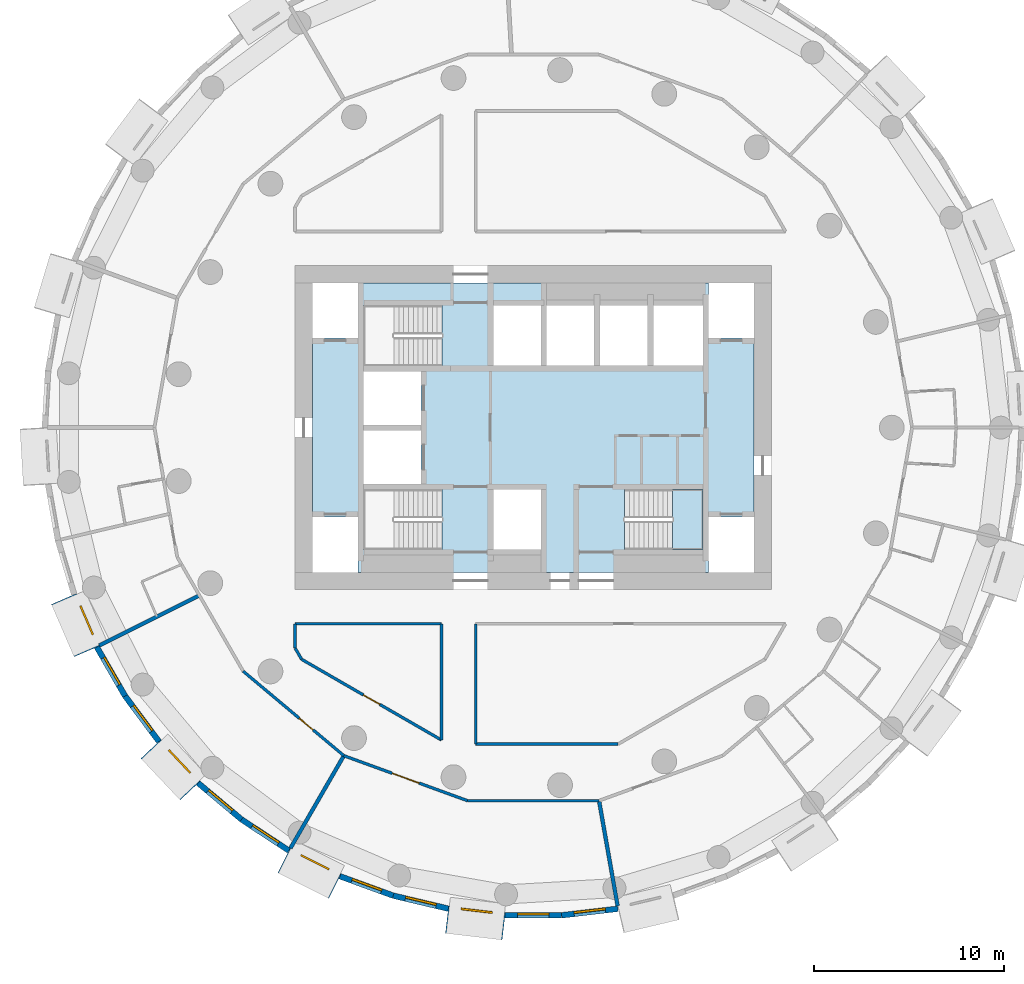
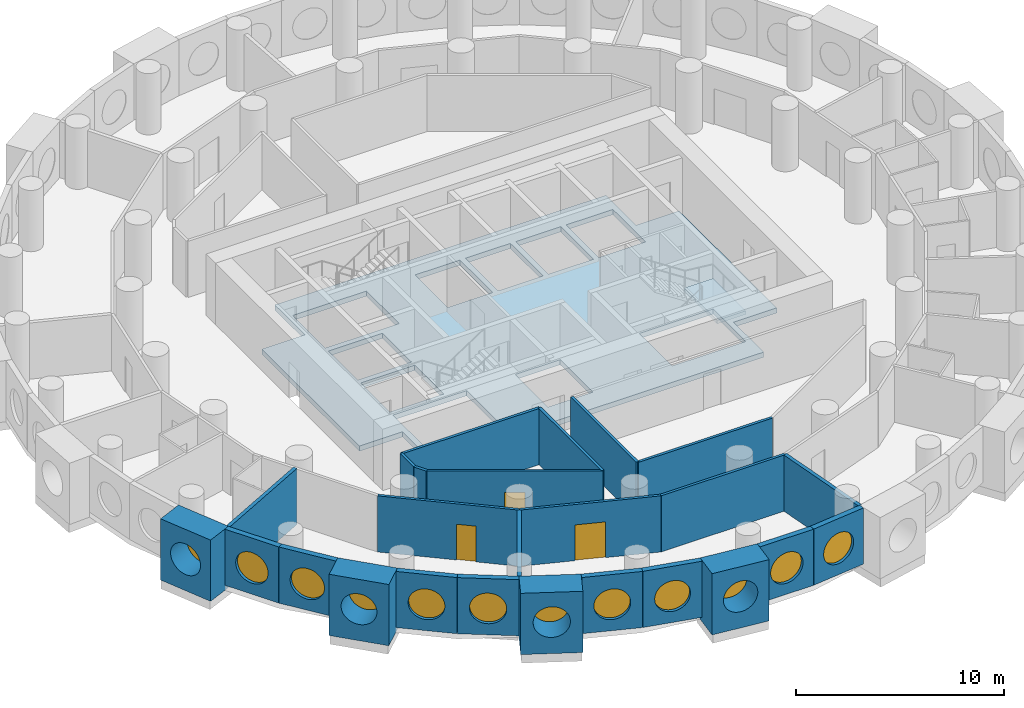
# One storey, part 2 of 10: 25 walls, 12 windows, 3 doors, 2 slabs, 15 openings, 1 element without a shape of its own.
"""IFC4 building model written with IfcOpenShell, lengths in metres."""

import ifcopenshell
import ifcopenshell.guid

model = None  # the IFC model being written
_history = None  # IfcOwnerHistory: only IFC2X3 demands one
_inside = {}  # id of a spatial element -> (the spatial element, [elements in it])
_under = {}  # id of a project, library or spatial element -> (it, [spatial elements below it])
_declared = {}  # id of a project -> (the project, [libraries it declares])
_typed = {}  # id of a type object -> (the type object, [elements of that type])
_made_of = {}  # id of a material, layer set ... -> (it, [elements and type objects made of it])


def new_model(schema):
    """Start an empty IFC model of exactly this schema.

    Asked for "IFC4X3", IfcOpenShell would pick the latest addendum, in which some entities
    have other attributes; the version numbers below select the first issue.
    IFC2X3 requires an IfcOwnerHistory on every rooted entity: one is made here for all.
    """
    global model, _history
    if schema == "IFC4X3":
        model = ifcopenshell.file(schema_version=(4, 3, 0, 0))
    else:
        model = ifcopenshell.file(schema=schema)
    _inside.clear()
    _under.clear()
    _declared.clear()
    _typed.clear()
    _made_of.clear()
    _history = None
    if model.schema == "IFC2X3":
        org = make("IfcOrganization", Name="unknown")
        user = make(
            "IfcPersonAndOrganization",
            ThePerson=make("IfcPerson", FamilyName="unknown"),
            TheOrganization=org,
        )
        app = make(
            "IfcApplication",
            ApplicationDeveloper=org,
            Version="unknown",
            ApplicationFullName="unknown",
            ApplicationIdentifier="unknown",
        )
        _history = make(
            "IfcOwnerHistory",
            OwningUser=user,
            OwningApplication=app,
            ChangeAction="ADDED",
            CreationDate=0,
        )
    return model


def make(cls, **values):
    """One entity of the class cls with the attributes given. An attribute that is None is left unset."""
    return model.create_entity(
        cls, **{name: value for name, value in values.items() if value is not None}
    )


def rooted(cls, **values):
    """An entity with a GlobalId (a new one), such as an element, a storey or a relation."""
    return make(cls, GlobalId=ifcopenshell.guid.new(), OwnerHistory=_history, **values)


def si_unit(unit_type, name, prefix=None):
    """IfcSIUnit, for example si_unit("LENGTHUNIT", "METRE", prefix="MILLI")."""
    return make("IfcSIUnit", UnitType=unit_type, Prefix=prefix, Name=name)


def assignment(units):
    """IfcUnitAssignment: the units of a project."""
    return None if units is None else make("IfcUnitAssignment", Units=units)


def point(xyz):
    """IfcCartesianPoint."""
    return None if xyz is None else make("IfcCartesianPoint", Coordinates=xyz)


def direction(xyz):
    """IfcDirection."""
    return None if xyz is None else make("IfcDirection", DirectionRatios=xyz)


def frame(location, z_axis=None, x_axis=None):
    """IfcAxis2Placement3D, a coordinate frame: its origin and axes. An axis left out is left unset."""
    return make(
        "IfcAxis2Placement3D",
        Location=point(location),
        Axis=direction(z_axis),
        RefDirection=direction(x_axis),
    )


def frame_2d(location, x_axis=None):
    """IfcAxis2Placement2D, a coordinate frame in the plane: its origin and x axis."""
    return make(
        "IfcAxis2Placement2D", Location=point(location), RefDirection=direction(x_axis)
    )


def origin():
    """The frame at (0, 0, 0) with its axes left unset."""
    return frame((0.0, 0.0, 0.0))


def origin_2d():
    """The frame at (0, 0) in the plane with its x axis left unset."""
    return frame_2d((0.0, 0.0))


def place(relative_to, where):
    """IfcLocalPlacement: puts the frame where relative to a parent placement (None: the world)."""
    return make(
        "IfcLocalPlacement", PlacementRelTo=relative_to, RelativePlacement=where
    )


def context(
    kind, dimensions, precision=None, world=None, true_north=None, identifier=None
):
    """IfcGeometricRepresentationContext, for example the 3D "Model" context."""
    return make(
        "IfcGeometricRepresentationContext",
        ContextIdentifier=identifier,
        ContextType=kind,
        CoordinateSpaceDimension=dimensions,
        Precision=precision,
        WorldCoordinateSystem=world,
        TrueNorth=true_north,
    )


def subcontext(parent, identifier, kind, view, scale=None):
    """IfcGeometricRepresentationSubContext, for example "Body" below "Model"."""
    return make(
        "IfcGeometricRepresentationSubContext",
        ContextIdentifier=identifier,
        ContextType=kind,
        ParentContext=parent,
        TargetScale=scale,
        TargetView=view,
    )


def project(units=None, contexts=None):
    """IfcProject with its units and contexts."""
    return rooted(
        "IfcProject",
        Name="project",
        RepresentationContexts=contexts,
        UnitsInContext=assignment(units),
    )


def spatial(cls, under=None, at=None, **own):
    """A site, building, storey or space (cls), placed at a placement, below another one or the project."""
    s = rooted(cls, ObjectPlacement=at, **own)
    if under is not None:
        _under.setdefault(under.id(), (under, []))[1].append(s)
    return s


def polyline(points):
    """IfcPolyline through the points."""
    return make("IfcPolyline", Points=[point(p) for p in points])


def profile(cls, at=None, kind="AREA", **sizes):
    """A parametric profile (cls). Its sizes go by their IFC names, for example OverallWidth=200.0."""
    return make(cls, ProfileType=kind, Position=at, **sizes)


def rectangle(**sizes):
    """IfcRectangleProfileDef."""
    return profile("IfcRectangleProfileDef", **sizes)


def circle(**sizes):
    """IfcCircleProfileDef."""
    return profile("IfcCircleProfileDef", **sizes)


def outline(outer, holes=None, kind="AREA"):
    """IfcArbitraryClosedProfileDef: a profile drawn as a closed curve; with holes, ...WithVoids."""
    if holes is None:
        return make("IfcArbitraryClosedProfileDef", ProfileType=kind, OuterCurve=outer)
    return make(
        "IfcArbitraryProfileDefWithVoids",
        ProfileType=kind,
        OuterCurve=outer,
        InnerCurves=holes,
    )


def extrude(swept, where, along, depth):
    """IfcExtrudedAreaSolid: the profile swept, set in the frame where, extruded along a direction by depth."""
    return make(
        "IfcExtrudedAreaSolid",
        SweptArea=swept,
        Position=where,
        ExtrudedDirection=direction(along),
        Depth=depth,
    )


def shape(context_of_items, identifier, shape_type, items):
    """IfcShapeRepresentation: the items that make up one representation, for example the "Body"."""
    return make(
        "IfcShapeRepresentation",
        ContextOfItems=context_of_items,
        RepresentationIdentifier=identifier,
        RepresentationType=shape_type,
        Items=items,
    )


def material(Name=None, Category=None):
    """IfcMaterial."""
    return make("IfcMaterial", Name=Name, Category=Category)


def layer(
    of_material, thickness, ventilated=None, Name=None, Category=None, Priority=None
):
    """IfcMaterialLayer: one layer of a wall or slab, of a material (None: an air gap)."""
    return make(
        "IfcMaterialLayer",
        Material=of_material,
        LayerThickness=thickness,
        IsVentilated=ventilated,
        Name=Name,
        Category=Category,
        Priority=Priority,
    )


def layer_set(layers, Name=None):
    """IfcMaterialLayerSet."""
    return make("IfcMaterialLayerSet", MaterialLayers=layers, LayerSetName=Name)


def made_of(thing, what):
    """Note that an element or type object is made of a material, layer set ...; save() writes the relation."""
    if what is not None:
        _made_of.setdefault(what.id(), (what, []))[1].append(thing)
    return thing


def type_object(cls, material=None, **own):
    """A type object (cls), such as IfcWallType, which elements share."""
    return made_of(rooted(cls, **own), material)


def element(
    cls,
    number,
    at=None,
    inside=None,
    cuts=None,
    type_object=None,
    material=None,
    context=None,
    identifier="Body",
    shape_type=None,
    held_by="IfcProductDefinitionShape",
    body=None,
    shapes=None,
    **own,
):
    """One element of the class cls, such as IfcWall. Its Tag is "e" and its number.

    at: its placement. inside: the storey or other place that contains it. cuts: it is an
    opening in that element (IfcRelVoidsElement). A single representation is given by context,
    identifier, shape_type and body (its items); several are given by shapes. held_by: the class
    of the entity that holds the representations. save() writes the other relations.
    """
    e = rooted(cls, Tag="e%d" % number, ObjectPlacement=at, **own)
    if body is not None:
        shapes = [shape(context, identifier, shape_type, body)]
    if shapes is not None:
        e.Representation = make(held_by, Representations=shapes)
    if inside is not None:
        _inside.setdefault(inside.id(), (inside, []))[1].append(e)
    if cuts is not None:
        rooted(
            "IfcRelVoidsElement", RelatingBuildingElement=cuts, RelatedOpeningElement=e
        )
    if type_object is not None:
        _typed.setdefault(type_object.id(), (type_object, []))[1].append(e)
    return made_of(e, material)


def fill(opening, filler):
    """IfcRelFillsElement: the door or window that sits in an opening."""
    return rooted(
        "IfcRelFillsElement",
        RelatingOpeningElement=opening,
        RelatedBuildingElement=filler,
    )


def aggregate(whole, parts):
    """IfcRelAggregates: a whole, such as a stair, and the parts it consists of."""
    return rooted("IfcRelAggregates", RelatingObject=whole, RelatedObjects=parts)


def save(model, path):
    """Write the relations noted so far, then the file.

    IfcRelAggregates (storeys below a building ...), IfcRelContainedInSpatialStructure (elements
    in a storey), IfcRelDefinesByType, IfcRelAssociatesMaterial and IfcRelDeclares: one each for
    every whole, place, type object, material and project.
    """
    for whole, parts in _under.values():
        aggregate(whole, parts)
    for where, things in _inside.values():
        rooted(
            "IfcRelContainedInSpatialStructure",
            RelatedElements=things,
            RelatingStructure=where,
        )
    for kind, things in _typed.values():
        rooted("IfcRelDefinesByType", RelatedObjects=things, RelatingType=kind)
    for what, things in _made_of.values():
        rooted("IfcRelAssociatesMaterial", RelatedObjects=things, RelatingMaterial=what)
    for by, libraries in _declared.values():
        rooted("IfcRelDeclares", RelatingContext=by, RelatedDefinitions=libraries)
    model.write(path)


model = new_model("IFC4")

# Units and contexts
model_context = context("Model", 3, precision=1e-05, world=origin(), true_north=direction((0.0, 1.0)))
body_context = subcontext(model_context, "Body", "Model", "MODEL_VIEW")
ifc_project = project(units=[si_unit("LENGTHUNIT", "METRE"), si_unit("AREAUNIT", "SQUARE_METRE"), si_unit("VOLUMEUNIT", "CUBIC_METRE"), si_unit("PLANEANGLEUNIT", "RADIAN"), si_unit("MASSUNIT", "GRAM", prefix="KILO")], contexts=[model_context])

# Site, building, storey
site_placement = place(None, origin())
site = spatial("IfcSite", under=ifc_project, at=site_placement, CompositionType="ELEMENT")
building_placement = place(site_placement, origin())
building = spatial("IfcBuilding", under=site, at=building_placement, Name="Tracery Tower", CompositionType="ELEMENT")
storey_placement = place(building_placement, frame((0.0, 0.0, 194.39990234375)))
storey = spatial("IfcBuildingStorey", under=building, at=storey_placement, Name="L50", CompositionType="ELEMENT", Elevation=194.39990234375)

# Slab
ifc_material_1 = material(Name="Concrete C50/60", Category="concrete")
ifc_layer_1 = layer(ifc_material_1, 0.300048828125)
ifc_layer_set_1 = layer_set([ifc_layer_1], Name="Core floor slab 300 C50")
slab_type_1 = type_object("IfcSlabType", Name="Core floor slab 300 C50", PredefinedType="FLOOR", material=ifc_layer_set_1)
slab_1_placement = place(storey_placement, frame((0.0, 0.0, -0.2998046875)))
element("IfcSlab", 1, at=slab_1_placement, inside=storey, type_object=slab_type_1, Name="L50 core floor 1", PredefinedType="FLOOR", context=body_context, shape_type="SweptSolid", body=[
    extrude(outline(polyline([(-9.199951171875, 7.60009765625), (9.199951171875, 7.60009765625), (9.199951171875, 4.699951171875), (11.60009765625, 4.699951171875), (11.60009765625, -4.699951171875), (9.199951171875, -4.699951171875), (9.199951171875, -7.60009765625), (-9.199951171875, -7.60009765625), (-9.199951171875, -4.699951171875), (-11.60009765625, -4.699951171875), (-11.60009765625, 4.699951171875), (-9.199951171875, 4.699951171875), (-9.199951171875, 7.60009765625)]), holes=[polyline([(4.800537109375, -6.39990234375), (8.89990234375, -6.39990234375), (8.89990234375, -3.25), (4.800537109375, -3.25), (4.800537109375, -6.39990234375)]), polyline([(8.89990234375, 3.25), (8.89990234375, 6.39990234375), (6.300048828125, 6.39990234375), (6.300048828125, 3.25), (8.89990234375, 3.25)]), polyline([(6.0, 3.25), (6.0, 6.39990234375), (3.5, 6.39990234375), (3.5, 3.25), (6.0, 3.25)]), polyline([(3.199951171875, 3.25), (3.199951171875, 6.39990234375), (0.699951171875, 6.39990234375), (0.699951171875, 3.25), (3.199951171875, 3.25)]), polyline([(-2.10009765625, 3.25), (0.39990234375, 3.25), (0.39990234375, 6.39990234375), (-2.10009765625, 6.39990234375), (-2.10009765625, 3.25)]), polyline([(0.39990234375, -6.39990234375), (0.39990234375, -3.25), (-2.10009765625, -3.25), (-2.10009765625, -6.39990234375), (0.39990234375, -6.39990234375)]), polyline([(-4.800537109375, -3.25), (-8.89990234375, -3.25), (-8.89990234375, -6.39990234375), (-4.800537109375, -6.39990234375), (-4.800537109375, -3.25)]), polyline([(-4.800537109375, 6.39990234375), (-8.89990234375, 6.39990234375), (-8.89990234375, 3.25), (-4.800537109375, 3.25), (-4.800537109375, 6.39990234375)]), polyline([(-5.89990234375, -2.949951171875), (-5.89990234375, -0.14990234375), (-8.89990234375, -0.14990234375), (-8.89990234375, -2.949951171875), (-5.89990234375, -2.949951171875)]), polyline([(-5.89990234375, 0.14990234375), (-5.89990234375, 2.949951171875), (-8.89990234375, 2.949951171875), (-8.89990234375, 0.14990234375), (-5.89990234375, 0.14990234375)])]), origin(), (0.0, 0.0, 1.0), 0.2998046875),
])

# Stair, slab
ifc_material_2 = material(Name="Concrete C32/40", Category="concrete")
stair_type = type_object("IfcStairType", Name="Core stair 22 risers", PredefinedType="HALF_TURN_STAIR", material=ifc_material_2)
stair_placement = place(storey_placement, origin())
stair = element("IfcStair", 2, at=stair_placement, inside=storey, type_object=stair_type, Name="L50 stair ST2", PredefinedType="HALF_TURN_STAIR")
ifc_material_3 = material(Name="Concrete C32/40", Category="concrete")
ifc_layer_2 = layer(ifc_material_3, 0.199951171875)
ifc_layer_set_2 = layer_set([ifc_layer_2], Name="Stair landing slab 200")
slab_type_2 = type_object("IfcSlabType", Name="Stair landing slab 200", PredefinedType="LANDING", material=ifc_layer_set_2)
slab_2_placement = place(storey_placement, frame((0.0, 0.0, 1.60009765625)))
slab_2 = element("IfcSlab", 3, at=slab_2_placement, type_object=slab_type_2, Name="ST2 landing 1", PredefinedType="LANDING", context=body_context, shape_type="SweptSolid", body=[
    extrude(outline(polyline([(7.29931640625, -6.39990234375), (8.89990234375, -6.39990234375), (8.89990234375, -3.25), (7.29931640625, -3.25), (7.29931640625, -6.39990234375)])), origin(), (0.0, 0.0, 1.0), 0.199951171875),
])
aggregate(stair, [slab_2])

# Wall, opening, window
ifc_material_4 = material(Name="Precast concrete C50/60", Category="concrete")
ifc_layer_3 = layer(ifc_material_4, 1.449951171875)
ifc_layer_set_3 = layer_set([ifc_layer_3], Name="Deep-set bay unit 3000 x 3600, slab edge 300")
wall_type_1 = type_object("IfcWallType", Name="Deep-set bay unit 3000 x 3600, slab edge 300", PredefinedType="ELEMENTEDWALL", material=ifc_layer_set_3)
wall_1_placement = place(storey_placement, frame((-24.632080078125, -8.99169921875, -0.2998046875), z_axis=(0.0, 0.0, 1.0), x_axis=(0.396079003245, -0.918216435917, 0.0)))
wall_1 = element("IfcWall", 4, at=wall_1_placement, inside=storey, type_object=wall_type_1, Name="Deep-set bay unit 31 at L50", PredefinedType="ELEMENTEDWALL", context=body_context, shape_type="SweptSolid", body=[
    extrude(rectangle(XDim=3.0, YDim=1.449951171875, at=frame_2d((1.5, 0.0))), origin(), (0.0, 0.0, 1.0), 3.599853515625),
])
opening_1_placement = place(wall_1_placement, frame((1.5, 0.0, 1.85009765625)))
opening_1 = element("IfcOpeningElement", 5, at=opening_1_placement, cuts=wall_1, Name="Opening WN1", PredefinedType="OPENING", context=body_context, shape_type="SweptSolid", body=[
    extrude(circle(Radius=0.9000244140625, at=origin_2d()), frame((0.0, 0.73486328125, 0.0), z_axis=(0.0, -1.0, 0.0), x_axis=(1.0, 0.0, 0.0)), (0.0, 0.0, 1.0), 1.469970703125),
])
ifc_material_5 = material(Name="Aluminium frame with tinted double glazing", Category="aluminium")
window_type = type_object("IfcWindowType", Name="Round window 1800", PartitioningType="SINGLE_PANEL", PredefinedType="WINDOW", material=ifc_material_5)
window_1_placement = place(opening_1_placement, origin())
window_1 = element("IfcWindow", 6, at=window_1_placement, inside=storey, type_object=window_type, Name="Round window 31 at L50", OverallHeight=1.800048828125, OverallWidth=1.800048828125, PartitioningType="SINGLE_PANEL", PredefinedType="WINDOW", context=body_context, shape_type="SweptSolid", body=[
    extrude(circle(Radius=0.9000244140625, at=origin_2d()), frame((0.0, 0.69482421875, 0.0), z_axis=(0.0, -1.0, 0.0), x_axis=(1.0, 0.0, 0.0)), (0.0, 0.0, 1.0), 0.10009765625),
])
fill(opening_1, window_1)

wall_2_placement = place(storey_placement, frame((-20.0712890625, -16.8740234375, -0.2998046875), z_axis=(0.0, 0.0, 1.0), x_axis=(0.686217177108, -0.727396718334, 0.0)))
wall_2 = element("IfcWall", 7, at=wall_2_placement, inside=storey, type_object=wall_type_1, Name="Deep-set bay unit 34 at L50", PredefinedType="ELEMENTEDWALL", context=body_context, shape_type="SweptSolid", body=[
    extrude(rectangle(XDim=3.0, YDim=1.449951171875, at=frame_2d((1.5, 0.0))), origin(), (0.0, 0.0, 1.0), 3.599853515625),
])
opening_2_placement = place(wall_2_placement, frame((1.5, 0.0, 1.85009765625)))
opening_2 = element("IfcOpeningElement", 8, at=opening_2_placement, cuts=wall_2, Name="Opening WN1", PredefinedType="OPENING", context=body_context, shape_type="SweptSolid", body=[
    extrude(circle(Radius=0.9000244140625, at=origin_2d()), frame((0.0, 0.73486328125, 0.0), z_axis=(0.0, -1.0, 0.0), x_axis=(1.0, 0.0, 0.0)), (0.0, 0.0, 1.0), 1.469970703125),
])
window_2_placement = place(opening_2_placement, origin())
window_2 = element("IfcWindow", 9, at=window_2_placement, inside=storey, type_object=window_type, Name="Round window 34 at L50", OverallHeight=1.800048828125, OverallWidth=1.800048828125, PartitioningType="SINGLE_PANEL", PredefinedType="WINDOW", context=body_context, shape_type="SweptSolid", body=[
    extrude(circle(Radius=0.9000244140625, at=origin_2d()), frame((0.0, 0.69482421875, 0.0), z_axis=(0.0, -1.0, 0.0), x_axis=(1.0, 0.0, 0.0)), (0.0, 0.0, 1.0), 0.10009765625),
])
fill(opening_2, window_2)

wall_3_placement = place(storey_placement, frame((-13.089599609375, -22.72119140625, -0.2998046875), z_axis=(0.0, 0.0, 1.0), x_axis=(0.893628249713, -0.448807922518, 0.0)))
wall_3 = element("IfcWall", 10, at=wall_3_placement, inside=storey, type_object=wall_type_1, Name="Deep-set bay unit 37 at L50", PredefinedType="ELEMENTEDWALL", context=body_context, shape_type="SweptSolid", body=[
    extrude(rectangle(XDim=3.0, YDim=1.449951171875, at=frame_2d((1.5, 0.0))), origin(), (0.0, 0.0, 1.0), 3.599853515625),
])
opening_3_placement = place(wall_3_placement, frame((1.5, 0.0, 1.85009765625)))
opening_3 = element("IfcOpeningElement", 11, at=opening_3_placement, cuts=wall_3, Name="Opening WN1", PredefinedType="OPENING", context=body_context, shape_type="SweptSolid", body=[
    extrude(circle(Radius=0.9000244140625, at=origin_2d()), frame((0.0, 0.73486328125, 0.0), z_axis=(0.0, -1.0, 0.0), x_axis=(1.0, 0.0, 0.0)), (0.0, 0.0, 1.0), 1.469970703125),
])
window_3_placement = place(opening_3_placement, origin())
window_3 = element("IfcWindow", 12, at=window_3_placement, inside=storey, type_object=window_type, Name="Round window 37 at L50", OverallHeight=1.800048828125, OverallWidth=1.800048828125, PartitioningType="SINGLE_PANEL", PredefinedType="WINDOW", context=body_context, shape_type="SweptSolid", body=[
    extrude(circle(Radius=0.9000244140625, at=origin_2d()), frame((0.0, 0.69482421875, 0.0), z_axis=(0.0, -1.0, 0.0), x_axis=(1.0, 0.0, 0.0)), (0.0, 0.0, 1.0), 0.10009765625),
])
fill(opening_3, window_3)

wall_4_placement = place(storey_placement, frame((-4.529052734375, -25.827880859375, -0.2998046875), z_axis=(0.0, 0.0, 1.0), x_axis=(0.9932342274, -0.116128246006, 0.0)))
wall_4 = element("IfcWall", 13, at=wall_4_placement, inside=storey, type_object=wall_type_1, Name="Deep-set bay unit 40 at L50", PredefinedType="ELEMENTEDWALL", context=body_context, shape_type="SweptSolid", body=[
    extrude(rectangle(XDim=3.0, YDim=1.449951171875, at=frame_2d((1.5, 0.0))), origin(), (0.0, 0.0, 1.0), 3.599853515625),
])
opening_4_placement = place(wall_4_placement, frame((1.5, 0.0, 1.85009765625)))
opening_4 = element("IfcOpeningElement", 14, at=opening_4_placement, cuts=wall_4, Name="Opening WN1", PredefinedType="OPENING", context=body_context, shape_type="SweptSolid", body=[
    extrude(circle(Radius=0.9000244140625, at=origin_2d()), frame((0.0, 0.73486328125, 0.0), z_axis=(0.0, -1.0, 0.0), x_axis=(1.0, 0.0, 0.0)), (0.0, 0.0, 1.0), 1.469970703125),
])
window_4_placement = place(opening_4_placement, origin())
window_4 = element("IfcWindow", 15, at=window_4_placement, inside=storey, type_object=window_type, Name="Round window 40 at L50", OverallHeight=1.800048828125, OverallWidth=1.800048828125, PartitioningType="SINGLE_PANEL", PredefinedType="WINDOW", context=body_context, shape_type="SweptSolid", body=[
    extrude(circle(Radius=0.9000244140625, at=origin_2d()), frame((0.0, 0.69482421875, 0.0), z_axis=(0.0, -1.0, 0.0), x_axis=(1.0, 0.0, 0.0)), (0.0, 0.0, 1.0), 0.10009765625),
])
fill(opening_4, window_4)

ifc_material_6 = material(Name="Precast concrete C50/60", Category="concrete")
ifc_layer_4 = layer(ifc_material_6, 0.300048828125)
ifc_layer_set_4 = layer_set([ifc_layer_4], Name="Facade panel 3000 x 3300")
wall_type_2 = type_object("IfcWallType", Name="Facade panel 3000 x 3300", PredefinedType="SOLIDWALL", material=ifc_layer_set_4)
wall_5_placement = place(storey_placement, frame((-22.91455078125, -11.518798828125, 0.0), z_axis=(0.0, 0.0, 1.0), x_axis=(0.499954672104, -0.866051572276, 0.0)))
wall_5 = element("IfcWall", 16, at=wall_5_placement, inside=storey, type_object=wall_type_2, Name="Facade panel 32 at L50", PredefinedType="SOLIDWALL", context=body_context, shape_type="SweptSolid", body=[
    extrude(rectangle(XDim=2.972900390625, YDim=0.300048828125, at=frame_2d((1.486328125, 0.0))), origin(), (0.0, 0.0, 1.0), 3.300048828125),
])
opening_5_placement = place(wall_5_placement, frame((1.486328125, 0.0, 1.5498046875)))
opening_5 = element("IfcOpeningElement", 17, at=opening_5_placement, cuts=wall_5, Name="Opening WN1", PredefinedType="OPENING", context=body_context, shape_type="SweptSolid", body=[
    extrude(circle(Radius=0.9000244140625, at=origin_2d()), frame((0.0, 0.159912109375, 0.0), z_axis=(0.0, -1.0, 0.0), x_axis=(1.0, 0.0, 0.0)), (0.0, 0.0, 1.0), 0.320068359375),
])
window_5_placement = place(opening_5_placement, origin())
window_5 = element("IfcWindow", 18, at=window_5_placement, inside=storey, type_object=window_type, Name="Round window 32 at L50", OverallHeight=1.800048828125, OverallWidth=1.800048828125, PartitioningType="SINGLE_PANEL", PredefinedType="WINDOW", context=body_context, shape_type="SweptSolid", body=[
    extrude(circle(Radius=0.9000244140625, at=origin_2d()), frame((0.0, 0.1201171875, 0.0), z_axis=(0.0, -1.0, 0.0), x_axis=(1.0, 0.0, 0.0)), (0.0, 0.0, 1.0), 0.10009765625),
])
fill(opening_5, window_5)

wall_6_placement = place(storey_placement, frame((-21.42822265625, -14.093505859375, 0.0), z_axis=(0.0, 0.0, 1.0), x_axis=(0.597197580538, -0.80209416517, 0.0)))
wall_6 = element("IfcWall", 19, at=wall_6_placement, inside=storey, type_object=wall_type_2, Name="Facade panel 33 at L50", PredefinedType="SOLIDWALL", context=body_context, shape_type="SweptSolid", body=[
    extrude(rectangle(XDim=2.972900390625, YDim=0.300048828125, at=frame_2d((1.486328125, 0.0))), origin(), (0.0, 0.0, 1.0), 3.300048828125),
])
opening_6_placement = place(wall_6_placement, frame((1.486328125, 0.0, 1.5498046875)))
opening_6 = element("IfcOpeningElement", 20, at=opening_6_placement, cuts=wall_6, Name="Opening WN1", PredefinedType="OPENING", context=body_context, shape_type="SweptSolid", body=[
    extrude(circle(Radius=0.9000244140625, at=origin_2d()), frame((0.0, 0.159912109375, 0.0), z_axis=(0.0, -1.0, 0.0), x_axis=(1.0, 0.0, 0.0)), (0.0, 0.0, 1.0), 0.320068359375),
])
window_6_placement = place(opening_6_placement, origin())
window_6 = element("IfcWindow", 21, at=window_6_placement, inside=storey, type_object=window_type, Name="Round window 33 at L50", OverallHeight=1.800048828125, OverallWidth=1.800048828125, PartitioningType="SINGLE_PANEL", PredefinedType="WINDOW", context=body_context, shape_type="SweptSolid", body=[
    extrude(circle(Radius=0.9000244140625, at=origin_2d()), frame((0.0, 0.1201171875, 0.0), z_axis=(0.0, -1.0, 0.0), x_axis=(1.0, 0.0, 0.0)), (0.0, 0.0, 1.0), 0.10009765625),
])
fill(opening_6, window_6)

wall_7_placement = place(storey_placement, frame((-17.593017578125, -18.661376953125, 0.0), z_axis=(0.0, 0.0, 1.0), x_axis=(0.766008913364, -0.642829950023, 0.0)))
wall_7 = element("IfcWall", 22, at=wall_7_placement, inside=storey, type_object=wall_type_2, Name="Facade panel 35 at L50", PredefinedType="SOLIDWALL", context=body_context, shape_type="SweptSolid", body=[
    extrude(rectangle(XDim=2.972900390625, YDim=0.300048828125, at=frame_2d((1.486328125, 0.0))), origin(), (0.0, 0.0, 1.0), 3.300048828125),
])
opening_7_placement = place(wall_7_placement, frame((1.486328125, 0.0, 1.5498046875)))
opening_7 = element("IfcOpeningElement", 23, at=opening_7_placement, cuts=wall_7, Name="Opening WN1", PredefinedType="OPENING", context=body_context, shape_type="SweptSolid", body=[
    extrude(circle(Radius=0.9000244140625, at=origin_2d()), frame((0.0, 0.159912109375, 0.0), z_axis=(0.0, -1.0, 0.0), x_axis=(1.0, 0.0, 0.0)), (0.0, 0.0, 1.0), 0.320068359375),
])
window_7_placement = place(opening_7_placement, origin())
window_7 = element("IfcWindow", 24, at=window_7_placement, inside=storey, type_object=window_type, Name="Round window 35 at L50", OverallHeight=1.800048828125, OverallWidth=1.800048828125, PartitioningType="SINGLE_PANEL", PredefinedType="WINDOW", context=body_context, shape_type="SweptSolid", body=[
    extrude(circle(Radius=0.9000244140625, at=origin_2d()), frame((0.0, 0.1201171875, 0.0), z_axis=(0.0, -1.0, 0.0), x_axis=(1.0, 0.0, 0.0)), (0.0, 0.0, 1.0), 0.10009765625),
])
fill(opening_7, window_7)

wall_8_placement = place(storey_placement, frame((-15.315673828125, -20.572509765625, 0.0), z_axis=(0.0, 0.0, 1.0), x_axis=(0.835508361394, -0.54947773207, 0.0)))
wall_8 = element("IfcWall", 25, at=wall_8_placement, inside=storey, type_object=wall_type_2, Name="Facade panel 36 at L50", PredefinedType="SOLIDWALL", context=body_context, shape_type="SweptSolid", body=[
    extrude(rectangle(XDim=2.972900390625, YDim=0.300048828125, at=frame_2d((1.486328125, 0.0))), origin(), (0.0, 0.0, 1.0), 3.300048828125),
])
opening_8_placement = place(wall_8_placement, frame((1.486328125, 0.0, 1.5498046875)))
opening_8 = element("IfcOpeningElement", 26, at=opening_8_placement, cuts=wall_8, Name="Opening WN1", PredefinedType="OPENING", context=body_context, shape_type="SweptSolid", body=[
    extrude(circle(Radius=0.9000244140625, at=origin_2d()), frame((0.0, 0.159912109375, 0.0), z_axis=(0.0, -1.0, 0.0), x_axis=(1.0, 0.0, 0.0)), (0.0, 0.0, 1.0), 0.320068359375),
])
window_8_placement = place(opening_8_placement, origin())
window_8 = element("IfcWindow", 27, at=window_8_placement, inside=storey, type_object=window_type, Name="Round window 36 at L50", OverallHeight=1.800048828125, OverallWidth=1.800048828125, PartitioningType="SINGLE_PANEL", PredefinedType="WINDOW", context=body_context, shape_type="SweptSolid", body=[
    extrude(circle(Radius=0.9000244140625, at=origin_2d()), frame((0.0, 0.1201171875, 0.0), z_axis=(0.0, -1.0, 0.0), x_axis=(1.0, 0.0, 0.0)), (0.0, 0.0, 1.0), 0.10009765625),
])
fill(opening_8, window_8)

wall_9_placement = place(storey_placement, frame((-10.1494140625, -23.55322265625, 0.0), z_axis=(0.0, 0.0, 1.0), x_axis=(0.939690282133, -0.342026568652, 0.0)))
wall_9 = element("IfcWall", 28, at=wall_9_placement, inside=storey, type_object=wall_type_2, Name="Facade panel 38 at L50", PredefinedType="SOLIDWALL", context=body_context, shape_type="SweptSolid", body=[
    extrude(rectangle(XDim=2.972900390625, YDim=0.300048828125, at=frame_2d((1.486328125, 0.0))), origin(), (0.0, 0.0, 1.0), 3.300048828125),
])
opening_9_placement = place(wall_9_placement, frame((1.486328125, 0.0, 1.5498046875)))
opening_9 = element("IfcOpeningElement", 29, at=opening_9_placement, cuts=wall_9, Name="Opening WN1", PredefinedType="OPENING", context=body_context, shape_type="SweptSolid", body=[
    extrude(circle(Radius=0.9000244140625, at=origin_2d()), frame((0.0, 0.159912109375, 0.0), z_axis=(0.0, -1.0, 0.0), x_axis=(1.0, 0.0, 0.0)), (0.0, 0.0, 1.0), 0.320068359375),
])
window_9_placement = place(opening_9_placement, origin())
window_9 = element("IfcWindow", 30, at=window_9_placement, inside=storey, type_object=window_type, Name="Round window 38 at L50", OverallHeight=1.800048828125, OverallWidth=1.800048828125, PartitioningType="SINGLE_PANEL", PredefinedType="WINDOW", context=body_context, shape_type="SweptSolid", body=[
    extrude(circle(Radius=0.9000244140625, at=origin_2d()), frame((0.0, 0.1201171875, 0.0), z_axis=(0.0, -1.0, 0.0), x_axis=(1.0, 0.0, 0.0)), (0.0, 0.0, 1.0), 0.10009765625),
])
fill(opening_9, window_9)

wall_10_placement = place(storey_placement, frame((-7.355712890625, -24.570068359375, 0.0), z_axis=(0.0, 0.0, 1.0), x_axis=(0.973045378923, -0.230613725862, 0.0)))
wall_10 = element("IfcWall", 31, at=wall_10_placement, inside=storey, type_object=wall_type_2, Name="Facade panel 39 at L50", PredefinedType="SOLIDWALL", context=body_context, shape_type="SweptSolid", body=[
    extrude(rectangle(XDim=2.97265625, YDim=0.300048828125, at=frame_2d((1.486328125, 0.0))), origin(), (0.0, 0.0, 1.0), 3.300048828125),
])
opening_10_placement = place(wall_10_placement, frame((1.486328125, 0.0, 1.5498046875)))
opening_10 = element("IfcOpeningElement", 32, at=opening_10_placement, cuts=wall_10, Name="Opening WN1", PredefinedType="OPENING", context=body_context, shape_type="SweptSolid", body=[
    extrude(circle(Radius=0.9000244140625, at=origin_2d()), frame((0.0, 0.159912109375, 0.0), z_axis=(0.0, -1.0, 0.0), x_axis=(1.0, 0.0, 0.0)), (0.0, 0.0, 1.0), 0.320068359375),
])
window_10_placement = place(opening_10_placement, origin())
window_10 = element("IfcWindow", 33, at=window_10_placement, inside=storey, type_object=window_type, Name="Round window 39 at L50", OverallHeight=1.800048828125, OverallWidth=1.800048828125, PartitioningType="SINGLE_PANEL", PredefinedType="WINDOW", context=body_context, shape_type="SweptSolid", body=[
    extrude(circle(Radius=0.9000244140625, at=origin_2d()), frame((0.0, 0.1201171875, 0.0), z_axis=(0.0, -1.0, 0.0), x_axis=(1.0, 0.0, 0.0)), (0.0, 0.0, 1.0), 0.10009765625),
])
fill(opening_10, window_10)

wall_11_placement = place(storey_placement, frame((-1.481689453125, -25.60400390625, 0.0), z_axis=(0.0, 0.0, 1.0), x_axis=(1.0, 0.0, 0.0)))
wall_11 = element("IfcWall", 34, at=wall_11_placement, inside=storey, type_object=wall_type_2, Name="Facade panel 41 at L50", PredefinedType="SOLIDWALL", context=body_context, shape_type="SweptSolid", body=[
    extrude(rectangle(XDim=2.972900390625, YDim=0.300048828125, at=frame_2d((1.486328125, 0.0))), origin(), (0.0, 0.0, 1.0), 3.300048828125),
])
opening_11_placement = place(wall_11_placement, frame((1.486328125, 0.0, 1.5498046875)))
opening_11 = element("IfcOpeningElement", 35, at=opening_11_placement, cuts=wall_11, Name="Opening WN1", PredefinedType="OPENING", context=body_context, shape_type="SweptSolid", body=[
    extrude(circle(Radius=0.9000244140625, at=origin_2d()), frame((0.0, 0.159912109375, 0.0), z_axis=(0.0, -1.0, 0.0), x_axis=(1.0, 0.0, 0.0)), (0.0, 0.0, 1.0), 0.320068359375),
])
window_11_placement = place(opening_11_placement, origin())
window_11 = element("IfcWindow", 36, at=window_11_placement, inside=storey, type_object=window_type, Name="Round window 41 at L50", OverallHeight=1.800048828125, OverallWidth=1.800048828125, PartitioningType="SINGLE_PANEL", PredefinedType="WINDOW", context=body_context, shape_type="SweptSolid", body=[
    extrude(circle(Radius=0.9000244140625, at=origin_2d()), frame((0.0, 0.1201171875, 0.0), z_axis=(0.0, -1.0, 0.0), x_axis=(1.0, 0.0, 0.0)), (0.0, 0.0, 1.0), 0.10009765625),
])
fill(opening_11, window_11)

wall_12_placement = place(storey_placement, frame((1.4912109375, -25.60400390625, 0.0), z_axis=(0.0, 0.0, 1.0), x_axis=(0.993245010522, 0.1160359818, 0.0)))
wall_12 = element("IfcWall", 37, at=wall_12_placement, inside=storey, type_object=wall_type_2, Name="Facade panel 42 at L50", PredefinedType="SOLIDWALL", context=body_context, shape_type="SweptSolid", body=[
    extrude(rectangle(XDim=2.972900390625, YDim=0.300048828125, at=frame_2d((1.486328125, 0.0))), origin(), (0.0, 0.0, 1.0), 3.300048828125),
])
opening_12_placement = place(wall_12_placement, frame((1.486328125, 0.0, 1.5498046875)))
opening_12 = element("IfcOpeningElement", 38, at=opening_12_placement, cuts=wall_12, Name="Opening WN1", PredefinedType="OPENING", context=body_context, shape_type="SweptSolid", body=[
    extrude(circle(Radius=0.9000244140625, at=origin_2d()), frame((0.0, 0.159912109375, 0.0), z_axis=(0.0, -1.0, 0.0), x_axis=(1.0, 0.0, 0.0)), (0.0, 0.0, 1.0), 0.320068359375),
])
window_12_placement = place(opening_12_placement, origin())
window_12 = element("IfcWindow", 39, at=window_12_placement, inside=storey, type_object=window_type, Name="Round window 42 at L50", OverallHeight=1.800048828125, OverallWidth=1.800048828125, PartitioningType="SINGLE_PANEL", PredefinedType="WINDOW", context=body_context, shape_type="SweptSolid", body=[
    extrude(circle(Radius=0.9000244140625, at=origin_2d()), frame((0.0, 0.1201171875, 0.0), z_axis=(0.0, -1.0, 0.0), x_axis=(1.0, 0.0, 0.0)), (0.0, 0.0, 1.0), 0.10009765625),
])
fill(opening_12, window_12)

# Walls
ifc_material_7 = material(Name="Plasterboard on steel studs", Category="steel")
ifc_layer_5 = layer(ifc_material_7, 0.14990234375)
ifc_layer_set_5 = layer_set([ifc_layer_5], Name="Partition 150 corridor wall")
wall_type_3 = type_object("IfcWallType", Name="Partition 150 corridor wall", PredefinedType="PARTITIONING", material=ifc_layer_set_5)
wall_13_placement = place(storey_placement, frame((-12.50390625, -10.300048828125, 0.0), z_axis=(0.0, 0.0, 1.0), x_axis=(1.0, 0.0, 0.0)))
element("IfcWall", 40, at=wall_13_placement, inside=storey, type_object=wall_type_3, Name="Corridor wall RB7-003", PredefinedType="PARTITIONING", context=body_context, shape_type="SweptSolid", body=[
    extrude(rectangle(XDim=7.68701171875, YDim=0.14990234375, at=frame_2d((3.843505859375, 0.0))), origin(), (0.0, 0.0, 1.0), 3.300048828125),
])
wall_14_placement = place(storey_placement, frame((-12.5, -11.576904296875, 0.0), z_axis=(0.0, 0.0, 1.0), x_axis=(0.0, 1.0, 0.0)))
element("IfcWall", 41, at=wall_14_placement, inside=storey, type_object=wall_type_3, Name="Corridor wall RB7-025", PredefinedType="PARTITIONING", context=body_context, shape_type="SweptSolid", body=[
    extrude(rectangle(XDim=1.27685546875, YDim=0.14990234375, at=frame_2d((0.638427734375, 0.0))), origin(), (0.0, 0.0, 1.0), 3.300048828125),
])
wall_15_placement = place(storey_placement, frame((-12.5, -11.576904296875, 0.0), z_axis=(0.0, 0.0, 1.0), x_axis=(0.500024767483, -0.866011103799, 0.0)))
element("IfcWall", 42, at=wall_15_placement, inside=storey, type_object=wall_type_3, Name="Corridor wall RB7-026", PredefinedType="PARTITIONING", context=body_context, shape_type="SweptSolid", body=[
    extrude(rectangle(XDim=0.67578125, YDim=0.14990234375, at=frame_2d((0.337890625, 0.0))), origin(), (0.0, 0.0, 1.0), 3.300048828125),
])

# Wall, opening, door
wall_16_placement = place(storey_placement, frame((-15.235107421875, -12.783935546875, 0.0), z_axis=(0.0, 0.0, 1.0), x_axis=(0.766192104565, -0.642611592567, 0.0)))
wall_16 = element("IfcWall", 43, at=wall_16_placement, inside=storey, type_object=wall_type_3, Name="Corridor wall RB7-031", PredefinedType="PARTITIONING", context=body_context, shape_type="SweptSolid", body=[
    extrude(rectangle(XDim=6.906494140625, YDim=0.14990234375, at=frame_2d((3.453125, 0.0))), origin(), (0.0, 0.0, 1.0), 3.300048828125),
])
opening_13_placement = place(wall_16_placement, frame((3.848388671875, 0.0, 0.0)))
opening_13 = element("IfcOpeningElement", 44, at=opening_13_placement, cuts=wall_16, Name="Opening RB7-16", PredefinedType="OPENING", context=body_context, shape_type="SweptSolid", body=[
    extrude(rectangle(XDim=0.949951171875, YDim=2.10009765625, at=frame_2d((0.47509765625, 1.050048828125))), frame((0.0, 0.074951171875, 0.0), z_axis=(0.0, -1.0, 0.0), x_axis=(1.0, 0.0, 0.0)), (0.0, 0.0, 1.0), 0.14990234375),
])
ifc_material_8 = material(Name="Timber door leaf", Category="wood")
door_type_1 = type_object("IfcDoorType", Name="Door store 950", OperationType="NOTDEFINED", PredefinedType="DOOR", material=ifc_material_8)
door_1_placement = place(opening_13_placement, origin())
door_1 = element("IfcDoor", 45, at=door_1_placement, inside=storey, type_object=door_type_1, Name="Store door RB7-16", OperationType="SINGLE_SWING_LEFT", OverallHeight=2.10009765625, OverallWidth=0.949951171875, PredefinedType="DOOR", context=body_context, shape_type="SweptSolid", body=[
    extrude(rectangle(XDim=0.949951171875, YDim=2.10009765625, at=frame_2d((0.47509765625, 1.050048828125))), frame((0.0, 0.02490234375, 0.0), z_axis=(0.0, -1.0, 0.0), x_axis=(1.0, 0.0, 0.0)), (0.0, 0.0, 1.0), 0.050048828125),
])
fill(opening_13, door_1)

wall_17_placement = place(storey_placement, frame((-12.162109375, -12.162109375, 0.0), z_axis=(0.0, 0.0, 1.0), x_axis=(0.866004766557, -0.500035743023, 0.0)))
wall_17 = element("IfcWall", 46, at=wall_17_placement, inside=storey, type_object=wall_type_3, Name="Corridor wall RB7-032", PredefinedType="PARTITIONING", context=body_context, shape_type="SweptSolid", body=[
    extrude(rectangle(XDim=8.47705078125, YDim=0.14990234375, at=frame_2d((4.238525390625, 0.0))), origin(), (0.0, 0.0, 1.0), 3.300048828125),
])
opening_14_placement = place(wall_17_placement, frame((3.738037109375, 0.0, 0.0)))
opening_14 = element("IfcOpeningElement", 47, at=opening_14_placement, cuts=wall_17, Name="Opening RB7-03", PredefinedType="OPENING", context=body_context, shape_type="SweptSolid", body=[
    extrude(rectangle(XDim=1.0, YDim=2.0400390625, at=frame_2d((0.5, 1.02001953125))), frame((0.0, 0.074951171875, 0.0), z_axis=(0.0, -1.0, 0.0), x_axis=(1.0, 0.0, 0.0)), (0.0, 0.0, 1.0), 0.14990234375),
])
ifc_material_9 = material(Name="Timber door leaf", Category="wood")
door_type_2 = type_object("IfcDoorType", Name="Door communal room 1000", OperationType="NOTDEFINED", PredefinedType="DOOR", material=ifc_material_9)
door_2_placement = place(opening_14_placement, origin())
door_2 = element("IfcDoor", 48, at=door_2_placement, inside=storey, type_object=door_type_2, Name="Communal room door RB7-03", OperationType="SINGLE_SWING_LEFT", OverallHeight=2.0400390625, OverallWidth=1.0, PredefinedType="DOOR", context=body_context, shape_type="SweptSolid", body=[
    extrude(rectangle(XDim=1.0, YDim=2.0400390625, at=frame_2d((0.5, 1.02001953125))), frame((0.0, 0.02490234375, 0.0), z_axis=(0.0, -1.0, 0.0), x_axis=(1.0, 0.0, 0.0)), (0.0, 0.0, 1.0), 0.050048828125),
])
fill(opening_14, door_2)

# Walls
wall_18_placement = place(storey_placement, frame((-4.821044921875, -16.40087890625, 0.0), z_axis=(0.0, 0.0, 1.0), x_axis=(0.0, 1.0, 0.0)))
element("IfcWall", 49, at=wall_18_placement, inside=storey, type_object=wall_type_3, Name="Corridor wall RB7-033", PredefinedType="PARTITIONING", context=body_context, shape_type="SweptSolid", body=[
    extrude(rectangle(XDim=6.100830078125, YDim=0.14990234375, at=frame_2d((3.05029296875, 0.0))), origin(), (0.0, 0.0, 1.0), 3.300048828125),
])
wall_19_placement = place(storey_placement, frame((-3.02099609375, -16.614013671875, 0.0), z_axis=(0.0, 0.0, 1.0), x_axis=(0.0, 1.0, 0.0)))
element("IfcWall", 50, at=wall_19_placement, inside=storey, type_object=wall_type_3, Name="Corridor wall RB7-034", PredefinedType="PARTITIONING", context=body_context, shape_type="SweptSolid", body=[
    extrude(rectangle(XDim=6.31396484375, YDim=0.14990234375, at=frame_2d((3.156982421875, 0.0))), origin(), (0.0, 0.0, 1.0), 3.300048828125),
])
wall_20_placement = place(storey_placement, frame((-3.02099609375, -16.614013671875, 0.0), z_axis=(0.0, 0.0, 1.0), x_axis=(1.0, 0.0, 0.0)))
element("IfcWall", 51, at=wall_20_placement, inside=storey, type_object=wall_type_3, Name="Corridor wall RB7-035", PredefinedType="PARTITIONING", context=body_context, shape_type="SweptSolid", body=[
    extrude(rectangle(XDim=7.472900390625, YDim=0.14990234375, at=frame_2d((3.736328125, 0.0))), origin(), (0.0, 0.0, 1.0), 3.300048828125),
])
wall_21_placement = place(storey_placement, frame((-3.452880859375, -19.5859375, 0.0), z_axis=(0.0, 0.0, 1.0), x_axis=(1.0, 0.0, 0.0)))
element("IfcWall", 52, at=wall_21_placement, inside=storey, type_object=wall_type_3, Name="Corridor wall RB7-037", PredefinedType="PARTITIONING", context=body_context, shape_type="SweptSolid", body=[
    extrude(rectangle(XDim=6.90576171875, YDim=0.14990234375, at=frame_2d((3.452880859375, 0.0))), origin(), (0.0, 0.0, 1.0), 3.300048828125),
])

# Wall, opening, door
wall_22_placement = place(storey_placement, frame((-9.944091796875, -17.222900390625, 0.0), z_axis=(0.0, 0.0, 1.0), x_axis=(0.939672634566, -0.342075050021, 0.0)))
wall_22 = element("IfcWall", 53, at=wall_22_placement, inside=storey, type_object=wall_type_3, Name="Corridor wall RB7-038", PredefinedType="PARTITIONING", context=body_context, shape_type="SweptSolid", body=[
    extrude(rectangle(XDim=6.907958984375, YDim=0.14990234375, at=frame_2d((3.4541015625, 0.0))), origin(), (0.0, 0.0, 1.0), 3.300048828125),
])
opening_15_placement = place(wall_22_placement, frame((2.70361328125, 0.0, 0.0)))
opening_15 = element("IfcOpeningElement", 54, at=opening_15_placement, cuts=wall_22, Name="Opening RB7-17", PredefinedType="OPENING", context=body_context, shape_type="SweptSolid", body=[
    extrude(rectangle(XDim=1.5, YDim=2.10009765625, at=frame_2d((0.75, 1.050048828125))), frame((0.0, 0.074951171875, 0.0), z_axis=(0.0, -1.0, 0.0), x_axis=(1.0, 0.0, 0.0)), (0.0, 0.0, 1.0), 0.14990234375),
])
ifc_material_10 = material(Name="Timber door leaf", Category="wood")
door_type_3 = type_object("IfcDoorType", Name="Door double kitchen 1500", OperationType="NOTDEFINED", PredefinedType="DOOR", material=ifc_material_10)
door_3_placement = place(opening_15_placement, origin())
door_3 = element("IfcDoor", 55, at=door_3_placement, inside=storey, type_object=door_type_3, Name="Double kitchen door RB7-17", OperationType="DOUBLE_DOOR_SINGLE_SWING", OverallHeight=2.10009765625, OverallWidth=1.5, PredefinedType="DOOR", context=body_context, shape_type="SweptSolid", body=[
    extrude(rectangle(XDim=1.5, YDim=2.10009765625, at=frame_2d((0.75, 1.050048828125))), frame((0.0, 0.02490234375, 0.0), z_axis=(0.0, -1.0, 0.0), x_axis=(1.0, 0.0, 0.0)), (0.0, 0.0, 1.0), 0.050048828125),
])
fill(opening_15, door_3)

# Walls
ifc_material_11 = material(Name="Plasterboard on steel studs", Category="steel")
ifc_layer_6 = layer(ifc_material_11, 0.199951171875)
ifc_layer_set_6 = layer_set([ifc_layer_6], Name="Partition 200 compartment wall")
wall_type_4 = type_object("IfcWallType", Name="Partition 200 compartment wall", PredefinedType="PARTITIONING", material=ifc_layer_set_6)
wall_23_placement = place(storey_placement, frame((-22.784912109375, -11.443115234375, 0.0), z_axis=(0.0, 0.0, 1.0), x_axis=(0.893644988933, 0.448774591254, 0.0)))
element("IfcWall", 56, at=wall_23_placement, inside=storey, type_object=wall_type_4, Name="Compartment wall RB7-054", PredefinedType="PARTITIONING", context=body_context, shape_type="SweptSolid", body=[
    extrude(rectangle(XDim=5.878173828125, YDim=0.199951171875, at=frame_2d((2.93896484375, 0.0))), origin(), (0.0, 0.0, 1.0), 3.300048828125),
])
wall_24_placement = place(storey_placement, frame((-12.7490234375, -22.0810546875, 0.0), z_axis=(0.0, 0.0, 1.0), x_axis=(0.500010020406, 0.866019618423, 0.0)))
element("IfcWall", 57, at=wall_24_placement, inside=storey, type_object=wall_type_4, Name="Compartment wall RB7-055", PredefinedType="PARTITIONING", context=body_context, shape_type="SweptSolid", body=[
    extrude(rectangle(XDim=5.60986328125, YDim=0.199951171875, at=frame_2d((2.804931640625, 0.0))), origin(), (0.0, 0.0, 1.0), 3.300048828125),
])
wall_25_placement = place(storey_placement, frame((3.452880859375, -19.5859375, 0.0), z_axis=(0.0, 0.0, 1.0), x_axis=(0.17382754149, -0.984776109489, 0.0)))
element("IfcWall", 58, at=wall_25_placement, inside=storey, type_object=wall_type_4, Name="Compartment wall RB7-056", PredefinedType="PARTITIONING", context=body_context, shape_type="SweptSolid", body=[
    extrude(rectangle(XDim=5.609619140625, YDim=0.199951171875, at=frame_2d((2.8046875, 0.0))), origin(), (0.0, 0.0, 1.0), 3.300048828125),
])

save(model, "model.ifc")
